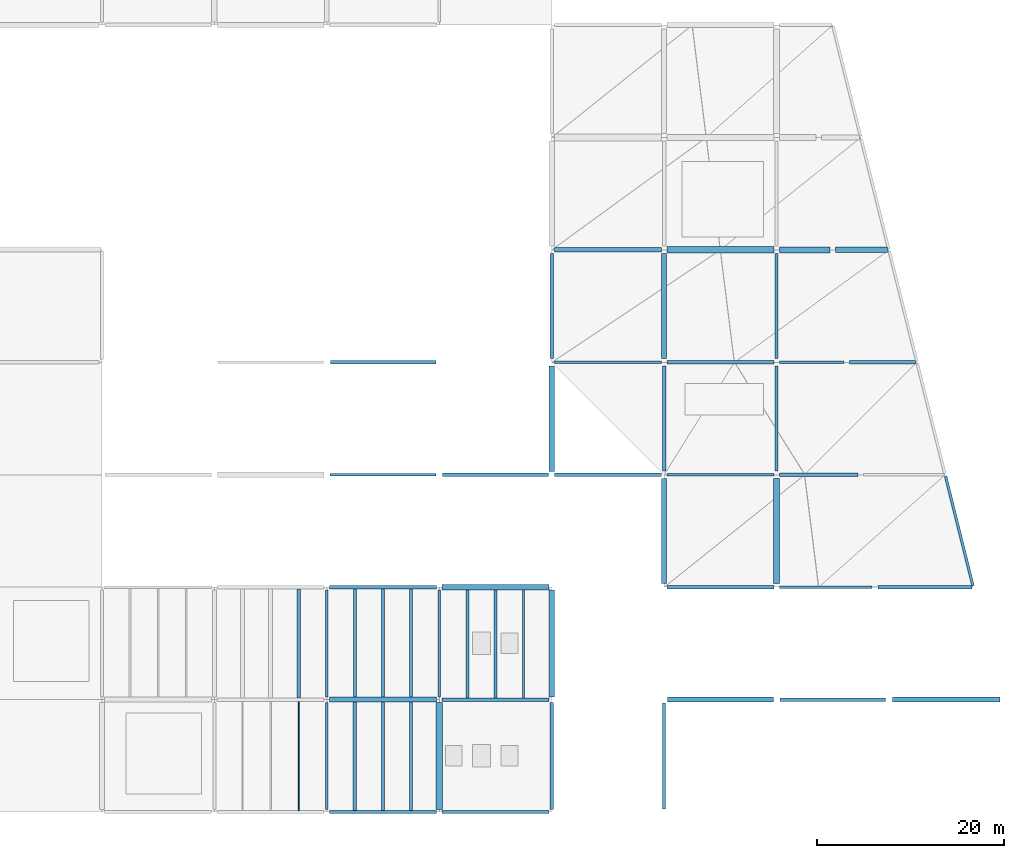
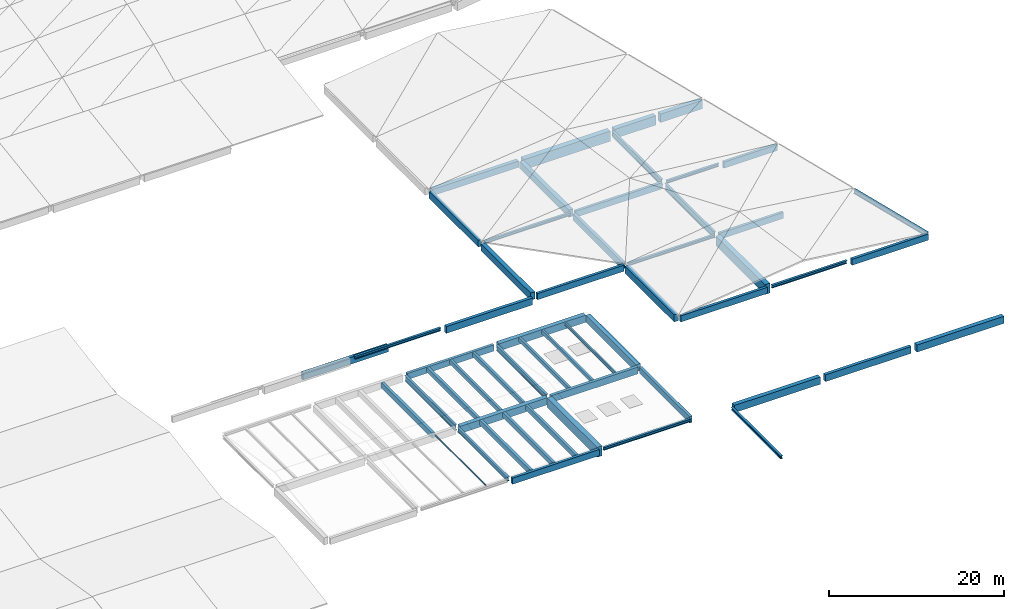
# One storey, part 12 of 23: 53 beams.
"""IFC4 building model written with IfcOpenShell, lengths in metres."""

import ifcopenshell
import ifcopenshell.guid

model = None  # the IFC model being written
_history = None  # IfcOwnerHistory: only IFC2X3 demands one
_inside = {}  # id of a spatial element -> (the spatial element, [elements in it])
_under = {}  # id of a project, library or spatial element -> (it, [spatial elements below it])
_declared = {}  # id of a project -> (the project, [libraries it declares])
_typed = {}  # id of a type object -> (the type object, [elements of that type])
_made_of = {}  # id of a material, layer set ... -> (it, [elements and type objects made of it])


def new_model(schema):
    """Start an empty IFC model of exactly this schema.

    Asked for "IFC4X3", IfcOpenShell would pick the latest addendum, in which some entities
    have other attributes; the version numbers below select the first issue.
    IFC2X3 requires an IfcOwnerHistory on every rooted entity: one is made here for all.
    """
    global model, _history
    if schema == "IFC4X3":
        model = ifcopenshell.file(schema_version=(4, 3, 0, 0))
    else:
        model = ifcopenshell.file(schema=schema)
    _inside.clear()
    _under.clear()
    _declared.clear()
    _typed.clear()
    _made_of.clear()
    _history = None
    if model.schema == "IFC2X3":
        org = make("IfcOrganization", Name="unknown")
        user = make(
            "IfcPersonAndOrganization",
            ThePerson=make("IfcPerson", FamilyName="unknown"),
            TheOrganization=org,
        )
        app = make(
            "IfcApplication",
            ApplicationDeveloper=org,
            Version="unknown",
            ApplicationFullName="unknown",
            ApplicationIdentifier="unknown",
        )
        _history = make(
            "IfcOwnerHistory",
            OwningUser=user,
            OwningApplication=app,
            ChangeAction="ADDED",
            CreationDate=0,
        )
    return model


def make(cls, **values):
    """One entity of the class cls with the attributes given. An attribute that is None is left unset."""
    return model.create_entity(
        cls, **{name: value for name, value in values.items() if value is not None}
    )


def rooted(cls, **values):
    """An entity with a GlobalId (a new one), such as an element, a storey or a relation."""
    return make(cls, GlobalId=ifcopenshell.guid.new(), OwnerHistory=_history, **values)


def si_unit(unit_type, name, prefix=None):
    """IfcSIUnit, for example si_unit("LENGTHUNIT", "METRE", prefix="MILLI")."""
    return make("IfcSIUnit", UnitType=unit_type, Prefix=prefix, Name=name)


def assignment(units):
    """IfcUnitAssignment: the units of a project."""
    return None if units is None else make("IfcUnitAssignment", Units=units)


def point(xyz):
    """IfcCartesianPoint."""
    return None if xyz is None else make("IfcCartesianPoint", Coordinates=xyz)


def direction(xyz):
    """IfcDirection."""
    return None if xyz is None else make("IfcDirection", DirectionRatios=xyz)


def frame(location, z_axis=None, x_axis=None):
    """IfcAxis2Placement3D, a coordinate frame: its origin and axes. An axis left out is left unset."""
    return make(
        "IfcAxis2Placement3D",
        Location=point(location),
        Axis=direction(z_axis),
        RefDirection=direction(x_axis),
    )


def frame_2d(location, x_axis=None):
    """IfcAxis2Placement2D, a coordinate frame in the plane: its origin and x axis."""
    return make(
        "IfcAxis2Placement2D", Location=point(location), RefDirection=direction(x_axis)
    )


def origin():
    """The frame at (0, 0, 0) with its axes left unset."""
    return frame((0.0, 0.0, 0.0))


def origin_2d():
    """The frame at (0, 0) in the plane with its x axis left unset."""
    return frame_2d((0.0, 0.0))


def place(relative_to, where):
    """IfcLocalPlacement: puts the frame where relative to a parent placement (None: the world)."""
    return make(
        "IfcLocalPlacement", PlacementRelTo=relative_to, RelativePlacement=where
    )


def context(
    kind, dimensions, precision=None, world=None, true_north=None, identifier=None
):
    """IfcGeometricRepresentationContext, for example the 3D "Model" context."""
    return make(
        "IfcGeometricRepresentationContext",
        ContextIdentifier=identifier,
        ContextType=kind,
        CoordinateSpaceDimension=dimensions,
        Precision=precision,
        WorldCoordinateSystem=world,
        TrueNorth=true_north,
    )


def subcontext(parent, identifier, kind, view, scale=None):
    """IfcGeometricRepresentationSubContext, for example "Body" below "Model"."""
    return make(
        "IfcGeometricRepresentationSubContext",
        ContextIdentifier=identifier,
        ContextType=kind,
        ParentContext=parent,
        TargetScale=scale,
        TargetView=view,
    )


def project(units=None, contexts=None):
    """IfcProject with its units and contexts."""
    return rooted(
        "IfcProject",
        Name="project",
        RepresentationContexts=contexts,
        UnitsInContext=assignment(units),
    )


def spatial(cls, under=None, at=None, **own):
    """A site, building, storey or space (cls), placed at a placement, below another one or the project."""
    s = rooted(cls, ObjectPlacement=at, **own)
    if under is not None:
        _under.setdefault(under.id(), (under, []))[1].append(s)
    return s


def profile(cls, at=None, kind="AREA", **sizes):
    """A parametric profile (cls). Its sizes go by their IFC names, for example OverallWidth=200.0."""
    return make(cls, ProfileType=kind, Position=at, **sizes)


def rectangle(**sizes):
    """IfcRectangleProfileDef."""
    return profile("IfcRectangleProfileDef", **sizes)


def i_section(**sizes):
    """IfcIShapeProfileDef."""
    return profile("IfcIShapeProfileDef", **sizes)


def extrude(swept, where, along, depth):
    """IfcExtrudedAreaSolid: the profile swept, set in the frame where, extruded along a direction by depth."""
    return make(
        "IfcExtrudedAreaSolid",
        SweptArea=swept,
        Position=where,
        ExtrudedDirection=direction(along),
        Depth=depth,
    )


def shape(context_of_items, identifier, shape_type, items):
    """IfcShapeRepresentation: the items that make up one representation, for example the "Body"."""
    return make(
        "IfcShapeRepresentation",
        ContextOfItems=context_of_items,
        RepresentationIdentifier=identifier,
        RepresentationType=shape_type,
        Items=items,
    )


def material(Name=None, Category=None):
    """IfcMaterial."""
    return make("IfcMaterial", Name=Name, Category=Category)


def material_profile(
    of_material, cross_section, Name=None, Category=None, Priority=None
):
    """IfcMaterialProfile: a cross section and its material."""
    return make(
        "IfcMaterialProfile",
        Name=Name,
        Material=of_material,
        Profile=cross_section,
        Priority=Priority,
        Category=Category,
    )


def profile_set(profiles, Name=None, composite=None):
    """IfcMaterialProfileSet."""
    return make(
        "IfcMaterialProfileSet",
        Name=Name,
        MaterialProfiles=profiles,
        CompositeProfile=composite,
    )


def made_of(thing, what):
    """Note that an element or type object is made of a material, layer set ...; save() writes the relation."""
    if what is not None:
        _made_of.setdefault(what.id(), (what, []))[1].append(thing)
    return thing


def type_object(cls, material=None, **own):
    """A type object (cls), such as IfcWallType, which elements share."""
    return made_of(rooted(cls, **own), material)


def element(
    cls,
    number,
    at=None,
    inside=None,
    cuts=None,
    type_object=None,
    material=None,
    context=None,
    identifier="Body",
    shape_type=None,
    held_by="IfcProductDefinitionShape",
    body=None,
    shapes=None,
    **own,
):
    """One element of the class cls, such as IfcWall. Its Tag is "e" and its number.

    at: its placement. inside: the storey or other place that contains it. cuts: it is an
    opening in that element (IfcRelVoidsElement). A single representation is given by context,
    identifier, shape_type and body (its items); several are given by shapes. held_by: the class
    of the entity that holds the representations. save() writes the other relations.
    """
    e = rooted(cls, Tag="e%d" % number, ObjectPlacement=at, **own)
    if body is not None:
        shapes = [shape(context, identifier, shape_type, body)]
    if shapes is not None:
        e.Representation = make(held_by, Representations=shapes)
    if inside is not None:
        _inside.setdefault(inside.id(), (inside, []))[1].append(e)
    if cuts is not None:
        rooted(
            "IfcRelVoidsElement", RelatingBuildingElement=cuts, RelatedOpeningElement=e
        )
    if type_object is not None:
        _typed.setdefault(type_object.id(), (type_object, []))[1].append(e)
    return made_of(e, material)


def aggregate(whole, parts):
    """IfcRelAggregates: a whole, such as a stair, and the parts it consists of."""
    return rooted("IfcRelAggregates", RelatingObject=whole, RelatedObjects=parts)


def save(model, path):
    """Write the relations noted so far, then the file.

    IfcRelAggregates (storeys below a building ...), IfcRelContainedInSpatialStructure (elements
    in a storey), IfcRelDefinesByType, IfcRelAssociatesMaterial and IfcRelDeclares: one each for
    every whole, place, type object, material and project.
    """
    for whole, parts in _under.values():
        aggregate(whole, parts)
    for where, things in _inside.values():
        rooted(
            "IfcRelContainedInSpatialStructure",
            RelatedElements=things,
            RelatingStructure=where,
        )
    for kind, things in _typed.values():
        rooted("IfcRelDefinesByType", RelatedObjects=things, RelatingType=kind)
    for what, things in _made_of.values():
        rooted("IfcRelAssociatesMaterial", RelatedObjects=things, RelatingMaterial=what)
    for by, libraries in _declared.values():
        rooted("IfcRelDeclares", RelatingContext=by, RelatedDefinitions=libraries)
    model.write(path)


model = new_model("IFC4")

# Units and contexts
model_context = context("Model", 3, precision=1e-05, world=origin(), true_north=direction((0.0, 1.0)))
body_context = subcontext(model_context, "Body", "Model", "MODEL_VIEW")
ifc_project = project(units=[si_unit("LENGTHUNIT", "METRE"), si_unit("AREAUNIT", "SQUARE_METRE"), si_unit("VOLUMEUNIT", "CUBIC_METRE"), si_unit("PLANEANGLEUNIT", "RADIAN"), si_unit("MASSUNIT", "GRAM", prefix="KILO")], contexts=[model_context])

# Site, building, storey
site_placement = place(None, origin())
site = spatial("IfcSite", under=ifc_project, at=site_placement, CompositionType="ELEMENT")
building_placement = place(site_placement, origin())
building = spatial("IfcBuilding", under=site, at=building_placement, Name="Kamomehara Wholesale Market", CompositionType="ELEMENT")
storey_placement = place(building_placement, frame((0.0, 0.0, 21.0)))
storey = spatial("IfcBuildingStorey", under=building, at=storey_placement, Name="RF", CompositionType="ELEMENT", Elevation=21.0)

# Beams
ifc_material_1 = material(Name="Precast concrete Fc45 (C40/50)", Category="concrete")
ifc_material_profile_1 = material_profile(ifc_material_1, rectangle(XDim=0.580078125, YDim=1.179931640625, at=origin_2d()), Name="PC-GRD-580x1180")
ifc_profile_set_1 = profile_set([ifc_material_profile_1], Name="Precast concrete Fc45 (C40/50)")
beam_type_1 = type_object("IfcBeamType", Name="BM-PG1180", PredefinedType="T_BEAM", material=ifc_profile_set_1)
beam_1_placement = place(storey_placement, frame((186.300048828125, 72.0, -5.389892578125), z_axis=(1.0, 0.0, 0.0), x_axis=(0.0, 1.0, 0.0)))
element("IfcBeam", 1, at=beam_1_placement, inside=storey, type_object=beam_type_1, Name="Beam PG-14 RF", PredefinedType="T_BEAM", context=body_context, shape_type="SweptSolid", body=[
    extrude(rectangle(XDim=0.580078125, YDim=1.179931640625, at=origin_2d()), origin(), (0.0, 0.0, 1.0), 5.550048828125),
])
ifc_material_2 = material(Name="Precast concrete Fc45 (C40/50)", Category="concrete")
ifc_material_profile_2 = material_profile(ifc_material_2, rectangle(XDim=0.6201171875, YDim=1.280029296875, at=origin_2d()), Name="PC-GRD-620x1280")
ifc_profile_set_2 = profile_set([ifc_material_profile_2], Name="Precast concrete Fc45 (C40/50)")
beam_type_2 = type_object("IfcBeamType", Name="BM-PG1280", PredefinedType="T_BEAM", material=ifc_profile_set_2)
beam_2_placement = place(storey_placement, frame((180.300048828125, 72.0, -5.43994140625), z_axis=(1.0, 0.0, 0.0), x_axis=(0.0, 1.0, 0.0)))
element("IfcBeam", 2, at=beam_2_placement, inside=storey, type_object=beam_type_2, Name="Beam PG-13 RF", PredefinedType="T_BEAM", context=body_context, shape_type="SweptSolid", body=[
    extrude(rectangle(XDim=0.6201171875, YDim=1.280029296875, at=origin_2d()), origin(), (0.0, 0.0, 1.0), 5.39990234375),
])
ifc_material_3 = material(Name="Precast concrete Fc45 (C40/50)", Category="concrete")
ifc_material_profile_3 = material_profile(ifc_material_3, rectangle(XDim=0.64990234375, YDim=1.35009765625, at=origin_2d()), Name="PC-GRD-650x1350")
ifc_profile_set_3 = profile_set([ifc_material_profile_3], Name="Precast concrete Fc45 (C40/50)")
beam_type_3 = type_object("IfcBeamType", Name="BM-PG1350", PredefinedType="T_BEAM", material=ifc_profile_set_3)
beam_3_placement = place(storey_placement, frame((180.0, 36.39990234375, -5.47509765625), z_axis=(0.0, 1.0, 0.0), x_axis=(-1.0, 0.0, 0.0)))
element("IfcBeam", 3, at=beam_3_placement, inside=storey, type_object=beam_type_3, Name="Beam PG-03 RF", PredefinedType="T_BEAM", context=body_context, shape_type="SweptSolid", body=[
    extrude(rectangle(XDim=0.64990234375, YDim=1.35009765625, at=origin_2d()), origin(), (0.0, 0.0, 1.0), 11.2001953125),
])
beam_4_placement = place(storey_placement, frame((144.0, 12.2900390625, -0.89697265625), z_axis=(0.0, 1.0, 0.0), x_axis=(-1.0, 0.0, 0.0)))
element("IfcBeam", 4, at=beam_4_placement, inside=storey, type_object=beam_type_3, Name="Beam PG-03 RF", PredefinedType="T_BEAM", context=body_context, shape_type="SweptSolid", body=[
    extrude(rectangle(XDim=0.64990234375, YDim=1.35009765625, at=origin_2d()), origin(), (0.0, 0.0, 1.0), 11.419921875),
])
ifc_material_4 = material(Name="Precast concrete Fc45 (C40/50)", Category="concrete")
ifc_material_profile_4 = material_profile(ifc_material_4, rectangle(XDim=0.699951171875, YDim=1.39990234375, at=origin_2d()), Name="PC-GRD-700x1400")
ifc_profile_set_4 = profile_set([ifc_material_profile_4], Name="Precast concrete Fc45 (C40/50)")
beam_type_4 = type_object("IfcBeamType", Name="BM-PG1400", PredefinedType="T_BEAM", material=ifc_profile_set_4)
beam_5_placement = place(storey_placement, frame((168.300048828125, 72.0, -5.5), z_axis=(1.0, 0.0, 0.0), x_axis=(0.0, 1.0, 0.0)))
element("IfcBeam", 5, at=beam_5_placement, inside=storey, type_object=beam_type_4, Name="Beam PG-02 RF", PredefinedType="T_BEAM", context=body_context, shape_type="SweptSolid", body=[
    extrude(rectangle(XDim=0.699951171875, YDim=1.39990234375, at=origin_2d()), origin(), (0.0, 0.0, 1.0), 11.39990234375),
])
ifc_material_5 = material(Name="Precast concrete Fc45 (C40/50)", Category="concrete")
ifc_material_profile_5 = material_profile(ifc_material_5, rectangle(XDim=0.5, YDim=0.89990234375, at=origin_2d()), Name="PC-GRD-500x900")
ifc_profile_set_5 = profile_set([ifc_material_profile_5], Name="Precast concrete Fc45 (C40/50)")
beam_type_5 = type_object("IfcBeamType", Name="BM-PG900", PredefinedType="T_BEAM", material=ifc_profile_set_5)
beam_6_placement = place(storey_placement, frame((156.300048828125, 72.0, -5.25), z_axis=(1.0, 0.0, 0.0), x_axis=(0.0, 1.0, 0.0)))
element("IfcBeam", 6, at=beam_6_placement, inside=storey, type_object=beam_type_5, Name="Beam PG-10 RF", PredefinedType="T_BEAM", context=body_context, shape_type="SweptSolid", body=[
    extrude(rectangle(XDim=0.5, YDim=0.89990234375, at=origin_2d()), origin(), (0.0, 0.0, 1.0), 11.39990234375),
])
ifc_material_6 = material(Name="Precast concrete Fc45 (C40/50)", Category="concrete")
ifc_material_profile_6 = material_profile(ifc_material_6, rectangle(XDim=0.280029296875, YDim=0.5, at=origin_2d()), Name="PC-JST-280x500")
ifc_profile_set_6 = profile_set([ifc_material_profile_6], Name="Precast concrete Fc45 (C40/50)")
beam_type_6 = type_object("IfcBeamType", Name="BM-PJ500", PredefinedType="JOIST", material=ifc_profile_set_6)
beam_7_placement = place(storey_placement, frame((150.0, 24.199951171875, -0.4619140625), z_axis=(0.0, 1.0, 0.0), x_axis=(-1.0, 0.0, 0.0)))
element("IfcBeam", 7, at=beam_7_placement, inside=storey, type_object=beam_type_6, Name="Beam PJ-11 RF", PredefinedType="JOIST", context=body_context, shape_type="SweptSolid", body=[
    extrude(rectangle(XDim=0.280029296875, YDim=0.5, at=origin_2d()), origin(), (0.0, 0.0, 1.0), 11.525146484375),
])
ifc_material_7 = material(Name="Precast concrete Fc45 (C40/50)", Category="concrete")
ifc_material_profile_7 = material_profile(ifc_material_7, rectangle(XDim=0.300048828125, YDim=0.550048828125, at=origin_2d()), Name="PC-JST-300x550")
ifc_profile_set_7 = profile_set([ifc_material_profile_7], Name="Precast concrete Fc45 (C40/50)")
beam_type_7 = type_object("IfcBeamType", Name="BM-PJ550", PredefinedType="JOIST", material=ifc_profile_set_7)
beam_8_placement = place(storey_placement, frame((147.0, 24.199951171875, -0.487060546875), z_axis=(0.0, 1.0, 0.0), x_axis=(-1.0, 0.0, 0.0)))
element("IfcBeam", 8, at=beam_8_placement, inside=storey, type_object=beam_type_7, Name="Beam PJ-06 RF", PredefinedType="JOIST", context=body_context, shape_type="SweptSolid", body=[
    extrude(rectangle(XDim=0.300048828125, YDim=0.550048828125, at=origin_2d()), origin(), (0.0, 0.0, 1.0), 11.525146484375),
])
ifc_material_8 = material(Name="Precast concrete Fc45 (C40/50)", Category="concrete")
ifc_material_profile_8 = material_profile(ifc_material_8, rectangle(XDim=0.320068359375, YDim=0.60009765625, at=origin_2d()), Name="PC-JST-320x600")
ifc_profile_set_8 = profile_set([ifc_material_profile_8], Name="Precast concrete Fc45 (C40/50)")
beam_type_8 = type_object("IfcBeamType", Name="BM-PJ600", PredefinedType="JOIST", material=ifc_profile_set_8)
beam_9_placement = place(storey_placement, frame((141.0, 24.27490234375, -0.52197265625), z_axis=(0.0, 1.0, 0.0), x_axis=(-1.0, 0.0, 0.0)))
element("IfcBeam", 9, at=beam_9_placement, inside=storey, type_object=beam_type_8, Name="Beam PJ-05 RF", PredefinedType="JOIST", context=body_context, shape_type="SweptSolid", body=[
    extrude(rectangle(XDim=0.320068359375, YDim=0.60009765625, at=origin_2d()), origin(), (0.0, 0.0, 1.0), 11.550048828125),
])
ifc_material_9 = material(Name="Precast concrete Fc45 (C40/50)", Category="concrete")
ifc_material_profile_9 = material_profile(ifc_material_9, rectangle(XDim=0.300048828125, YDim=0.60009765625, at=origin_2d()), Name="PC-JST-300x600")
ifc_profile_set_9 = profile_set([ifc_material_profile_9], Name="Precast concrete Fc45 (C40/50)")
beam_type_9 = type_object("IfcBeamType", Name="BM-PJ600B", PredefinedType="JOIST", material=ifc_profile_set_9)
beam_10_placement = place(storey_placement, frame((138.0, 24.27490234375, -0.52197265625), z_axis=(0.0, 1.0, 0.0), x_axis=(-1.0, 0.0, 0.0)))
element("IfcBeam", 10, at=beam_10_placement, inside=storey, type_object=beam_type_9, Name="Beam PJ-10 RF", PredefinedType="JOIST", context=body_context, shape_type="SweptSolid", body=[
    extrude(rectangle(XDim=0.300048828125, YDim=0.60009765625, at=origin_2d()), origin(), (0.0, 0.0, 1.0), 11.550048828125),
])
ifc_material_10 = material(Name="Precast concrete Fc45 (C40/50)", Category="concrete")
ifc_material_profile_10 = material_profile(ifc_material_10, rectangle(XDim=0.35009765625, YDim=0.64990234375, at=origin_2d()), Name="PC-JST-350x650")
ifc_profile_set_10 = profile_set([ifc_material_profile_10], Name="Precast concrete Fc45 (C40/50)")
beam_type_10 = type_object("IfcBeamType", Name="BM-PJ650", PredefinedType="JOIST", material=ifc_profile_set_10)
beam_11_placement = place(storey_placement, frame((135.0, 24.27490234375, -0.547119140625), z_axis=(0.0, 1.0, 0.0), x_axis=(-1.0, 0.0, 0.0)))
element("IfcBeam", 11, at=beam_11_placement, inside=storey, type_object=beam_type_10, Name="Beam PJ-04 RF", PredefinedType="JOIST", context=body_context, shape_type="SweptSolid", body=[
    extrude(rectangle(XDim=0.35009765625, YDim=0.64990234375, at=origin_2d()), origin(), (0.0, 0.0, 1.0), 11.550048828125),
])
ifc_material_11 = material(Name="Precast concrete Fc45 (C40/50)", Category="concrete")
ifc_material_profile_11 = material_profile(ifc_material_11, rectangle(XDim=0.340087890625, YDim=0.679931640625, at=origin_2d()), Name="PC-JST-340x680")
ifc_profile_set_11 = profile_set([ifc_material_profile_11], Name="Precast concrete Fc45 (C40/50)")
beam_type_11 = type_object("IfcBeamType", Name="BM-PJ680", PredefinedType="JOIST", material=ifc_profile_set_11)
beam_12_placement = place(storey_placement, frame((141.0, 12.175048828125, -0.56201171875), z_axis=(0.0, 1.0, 0.0), x_axis=(-1.0, 0.0, 0.0)))
element("IfcBeam", 12, at=beam_12_placement, inside=storey, type_object=beam_type_11, Name="Beam PJ-09 RF", PredefinedType="JOIST", context=body_context, shape_type="SweptSolid", body=[
    extrude(rectangle(XDim=0.340087890625, YDim=0.679931640625, at=origin_2d()), origin(), (0.0, 0.0, 1.0), 11.550048828125),
])
ifc_material_12 = material(Name="Precast concrete Fc45 (C40/50)", Category="concrete")
ifc_material_profile_12 = material_profile(ifc_material_12, rectangle(XDim=0.35009765625, YDim=0.699951171875, at=origin_2d()), Name="PC-JST-350x700")
ifc_profile_set_12 = profile_set([ifc_material_profile_12], Name="Precast concrete Fc45 (C40/50)")
beam_type_12 = type_object("IfcBeamType", Name="BM-PJ700", PredefinedType="JOIST", material=ifc_profile_set_12)
beam_13_placement = place(storey_placement, frame((138.0, 12.175048828125, -0.572021484375), z_axis=(0.0, 1.0, 0.0), x_axis=(-1.0, 0.0, 0.0)))
element("IfcBeam", 13, at=beam_13_placement, inside=storey, type_object=beam_type_12, Name="Beam PJ-03 RF", PredefinedType="JOIST", context=body_context, shape_type="SweptSolid", body=[
    extrude(rectangle(XDim=0.35009765625, YDim=0.699951171875, at=origin_2d()), origin(), (0.0, 0.0, 1.0), 11.550048828125),
])
ifc_material_13 = material(Name="Precast concrete Fc45 (C40/50)", Category="concrete")
ifc_material_profile_13 = material_profile(ifc_material_13, rectangle(XDim=0.360107421875, YDim=0.719970703125, at=origin_2d()), Name="PC-JST-360x720")
ifc_profile_set_13 = profile_set([ifc_material_profile_13], Name="Precast concrete Fc45 (C40/50)")
beam_type_13 = type_object("IfcBeamType", Name="BM-PJ720", PredefinedType="JOIST", material=ifc_profile_set_13)
beam_14_placement = place(storey_placement, frame((135.0, 12.175048828125, -0.58203125), z_axis=(0.0, 1.0, 0.0), x_axis=(-1.0, 0.0, 0.0)))
element("IfcBeam", 14, at=beam_14_placement, inside=storey, type_object=beam_type_13, Name="Beam PJ-08 RF", PredefinedType="JOIST", context=body_context, shape_type="SweptSolid", body=[
    extrude(rectangle(XDim=0.360107421875, YDim=0.719970703125, at=origin_2d()), origin(), (0.0, 0.0, 1.0), 11.550048828125),
])
ifc_material_14 = material(Name="Precast concrete Fc45 (C40/50)", Category="concrete")
ifc_material_profile_14 = material_profile(ifc_material_14, rectangle(XDim=0.3798828125, YDim=0.75, at=origin_2d()), Name="PC-JST-380x750")
ifc_profile_set_14 = profile_set([ifc_material_profile_14], Name="Precast concrete Fc45 (C40/50)")
beam_type_14 = type_object("IfcBeamType", Name="BM-PJ750", PredefinedType="JOIST", material=ifc_profile_set_14)
beam_15_placement = place(storey_placement, frame((129.0, 24.199951171875, -0.596923828125), z_axis=(0.0, 1.0, 0.0), x_axis=(-1.0, 0.0, 0.0)))
element("IfcBeam", 15, at=beam_15_placement, inside=storey, type_object=beam_type_14, Name="Beam PJ-02 RF", PredefinedType="JOIST", context=body_context, shape_type="SweptSolid", body=[
    extrude(rectangle(XDim=0.3798828125, YDim=0.75, at=origin_2d()), origin(), (0.0, 0.0, 1.0), 11.60009765625),
])
ifc_material_15 = material(Name="Concrete Fc36 (C35/45)", Category="concrete")
ifc_material_profile_15 = material_profile(ifc_material_15, rectangle(XDim=0.550048828125, YDim=1.0, at=origin_2d()), Name="RC-SEB-550x1000")
ifc_profile_set_15 = profile_set([ifc_material_profile_15], Name="Concrete Fc36 (C35/45)")
beam_type_15 = type_object("IfcBeamType", Name="BM-SEB1000-EXT", PredefinedType="SPANDREL", material=ifc_profile_set_15)
beam_16_placement = place(storey_placement, frame((168.35009765625, 24.0, -10.43701171875), z_axis=(1.0, 0.0, 0.0), x_axis=(0.0, 1.0, 0.0)))
element("IfcBeam", 16, at=beam_16_placement, inside=storey, type_object=beam_type_15, Name="Beam SEB-03E RF", PredefinedType="SPANDREL", context=body_context, shape_type="SweptSolid", body=[
    extrude(rectangle(XDim=0.550048828125, YDim=1.0, at=origin_2d()), origin(), (0.0, 0.0, 1.0), 11.2998046875),
])
beam_17_placement = place(storey_placement, frame((192.35009765625, 24.0, -10.43701171875), z_axis=(1.0, 0.0, 0.0), x_axis=(0.0, 1.0, 0.0)))
element("IfcBeam", 17, at=beam_17_placement, inside=storey, type_object=beam_type_15, Name="Beam SEB-03E RF", PredefinedType="SPANDREL", context=body_context, shape_type="SweptSolid", body=[
    extrude(rectangle(XDim=0.550048828125, YDim=1.0, at=origin_2d()), origin(), (0.0, 0.0, 1.0), 11.471923828125),
])
beam_18_placement = place(storey_placement, frame((168.0, 36.39990234375, -5.300048828125), z_axis=(0.0, 1.0, 0.0), x_axis=(-1.0, 0.0, 0.0)))
element("IfcBeam", 18, at=beam_18_placement, inside=storey, type_object=beam_type_15, Name="Beam SEB-03E RF", PredefinedType="SPANDREL", context=body_context, shape_type="SweptSolid", body=[
    extrude(rectangle(XDim=0.550048828125, YDim=1.0, at=origin_2d()), origin(), (0.0, 0.0, 1.0), 11.2001953125),
])
beam_19_placement = place(storey_placement, frame((156.0, 48.324951171875, -5.300048828125), z_axis=(0.0, 1.0, 0.0), x_axis=(-1.0, 0.0, 0.0)))
element("IfcBeam", 19, at=beam_19_placement, inside=storey, type_object=beam_type_15, Name="Beam SEB-03E RF", PredefinedType="SPANDREL", context=body_context, shape_type="SweptSolid", body=[
    extrude(rectangle(XDim=0.550048828125, YDim=1.0, at=origin_2d()), origin(), (0.0, 0.0, 1.0), 11.275146484375),
])
beam_20_placement = place(storey_placement, frame((168.0, 60.39990234375, -5.300048828125), z_axis=(0.0, 1.0, 0.0), x_axis=(-1.0, 0.0, 0.0)))
element("IfcBeam", 20, at=beam_20_placement, inside=storey, type_object=beam_type_15, Name="Beam SEB-03E RF", PredefinedType="SPANDREL", context=body_context, shape_type="SweptSolid", body=[
    extrude(rectangle(XDim=0.550048828125, YDim=1.0, at=origin_2d()), origin(), (0.0, 0.0, 1.0), 11.2001953125),
])
for number, where, z_axis, x_axis, name in (
    (21, (132.2900390625, 24.0, -0.721923828125), (1.0, 0.0, 0.0), (0.0, 1.0, 0.0), "Beam SEB-03E RF"),
    (22, (156.0, 24.2900390625, -0.7119140625), (0.0, 1.0, 0.0), (-1.0, 0.0, 0.0), "Beam SEB-03E RF"),
    (23, (144.2900390625, 36.0, -0.7119140625), (1.0, 0.0, 0.0), (0.0, 1.0, 0.0), "Beam SEB-03E RF"),
):
    element("IfcBeam", number, at=place(storey_placement, frame(where, z_axis=z_axis, x_axis=x_axis)), inside=storey, type_object=beam_type_15, Name=name, PredefinedType="SPANDREL", context=body_context, shape_type="SweptSolid", body=[
        extrude(rectangle(XDim=0.550048828125, YDim=1.0, at=origin_2d()), origin(), (0.0, 0.0, 1.0), 11.419921875),
    ])
ifc_material_16 = material(Name="Precast concrete Fc45 (C40/50)", Category="concrete")
ifc_material_profile_16 = material_profile(ifc_material_16, rectangle(XDim=0.35009765625, YDim=0.85009765625, at=origin_2d()), Name="PC-SPN-350x850")
ifc_profile_set_16 = profile_set([ifc_material_profile_16], Name="Precast concrete Fc45 (C40/50)")
beam_type_16 = type_object("IfcBeamType", Name="BM-SPN850-EXT", PredefinedType="SPANDREL", material=ifc_profile_set_16)
beam_21_placement = place(storey_placement, frame((168.300048828125, 36.0, -5.22509765625), z_axis=(1.0, 0.0, 0.0), x_axis=(0.0, 1.0, 0.0)))
element("IfcBeam", 24, at=beam_21_placement, inside=storey, type_object=beam_type_16, Name="Beam SPN-02E RF", PredefinedType="SPANDREL", context=body_context, shape_type="SweptSolid", body=[
    extrude(rectangle(XDim=0.35009765625, YDim=0.85009765625, at=origin_2d()), origin(), (0.0, 0.0, 1.0), 11.39990234375),
])
beam_22_placement = place(storey_placement, frame((190.800048828125, 36.0, -5.22509765625), z_axis=(1.0, 0.0, 0.0), x_axis=(0.0, 1.0, 0.0)))
element("IfcBeam", 25, at=beam_22_placement, inside=storey, type_object=beam_type_16, Name="Beam SPN-02E RF", PredefinedType="SPANDREL", context=body_context, shape_type="SweptSolid", body=[
    extrude(rectangle(XDim=0.35009765625, YDim=0.85009765625, at=origin_2d()), origin(), (0.0, 0.0, 1.0), 10.050048828125),
])
beam_23_placement = place(storey_placement, frame((156.324951171875, 48.0, -5.22509765625), z_axis=(1.0, 0.0, 0.0), x_axis=(0.0, 1.0, 0.0)))
element("IfcBeam", 26, at=beam_23_placement, inside=storey, type_object=beam_type_16, Name="Beam SPN-02E RF", PredefinedType="SPANDREL", context=body_context, shape_type="SweptSolid", body=[
    extrude(rectangle(XDim=0.35009765625, YDim=0.85009765625, at=origin_2d()), origin(), (0.0, 0.0, 1.0), 11.375),
])
beam_24_placement = place(storey_placement, frame((180.300048828125, 48.0, -5.22509765625), z_axis=(1.0, 0.0, 0.0), x_axis=(0.0, 1.0, 0.0)))
element("IfcBeam", 27, at=beam_24_placement, inside=storey, type_object=beam_type_16, Name="Beam SPN-02E RF", PredefinedType="SPANDREL", context=body_context, shape_type="SweptSolid", body=[
    extrude(rectangle(XDim=0.35009765625, YDim=0.85009765625, at=origin_2d()), origin(), (0.0, 0.0, 1.0), 8.39990234375),
])
beam_25_placement = place(storey_placement, frame((168.300048828125, 60.0, -5.22509765625), z_axis=(1.0, 0.0, 0.0), x_axis=(0.0, 1.0, 0.0)))
element("IfcBeam", 28, at=beam_25_placement, inside=storey, type_object=beam_type_16, Name="Beam SPN-02E RF", PredefinedType="SPANDREL", context=body_context, shape_type="SweptSolid", body=[
    extrude(rectangle(XDim=0.35009765625, YDim=0.85009765625, at=origin_2d()), origin(), (0.0, 0.0, 1.0), 11.39990234375),
])
beam_26_placement = place(storey_placement, frame((187.800048828125, 60.0, -5.22509765625), z_axis=(1.0, 0.0, 0.0), x_axis=(0.0, 1.0, 0.0)))
element("IfcBeam", 29, at=beam_26_placement, inside=storey, type_object=beam_type_16, Name="Beam SPN-02E RF", PredefinedType="SPANDREL", context=body_context, shape_type="SweptSolid", body=[
    extrude(rectangle(XDim=0.35009765625, YDim=0.85009765625, at=origin_2d()), origin(), (0.0, 0.0, 1.0), 7.050048828125),
])
for number, where, z_axis, x_axis, name in (
    (30, (132.2900390625, 12.0, -0.64697265625), (1.0, 0.0, 0.0), (0.0, 1.0, 0.0), "Beam SPN-02E RF"),
    (31, (156.0, 12.2900390625, -0.636962890625), (0.0, 1.0, 0.0), (-1.0, 0.0, 0.0), "Beam SPN-02E RF"),
    (32, (132.2900390625, 36.0, -0.64697265625), (1.0, 0.0, 0.0), (0.0, 1.0, 0.0), "Beam SPN-02E RF"),
):
    element("IfcBeam", number, at=place(storey_placement, frame(where, z_axis=z_axis, x_axis=x_axis)), inside=storey, type_object=beam_type_16, Name=name, PredefinedType="SPANDREL", context=body_context, shape_type="SweptSolid", body=[
        extrude(rectangle(XDim=0.35009765625, YDim=0.85009765625, at=origin_2d()), origin(), (0.0, 0.0, 1.0), 11.419921875),
    ])
ifc_material_17 = material(Name="Precast concrete Fc45 (C40/50)", Category="concrete")
ifc_material_profile_17 = material_profile(ifc_material_17, rectangle(XDim=0.39990234375, YDim=0.949951171875, at=origin_2d()), Name="PC-SPN-400x950")
ifc_profile_set_17 = profile_set([ifc_material_profile_17], Name="Precast concrete Fc45 (C40/50)")
beam_type_17 = type_object("IfcBeamType", Name="BM-SPN950-EXT", PredefinedType="SPANDREL", material=ifc_profile_set_17)
beam_27_placement = place(storey_placement, frame((132.375, 60.0, -15.221923828125), z_axis=(1.0, 0.0, 0.0), x_axis=(0.0, 1.0, 0.0)))
element("IfcBeam", 33, at=beam_27_placement, inside=storey, type_object=beam_type_17, Name="Beam SPN-01E RF", PredefinedType="SPANDREL", context=body_context, shape_type="SweptSolid", body=[
    extrude(rectangle(XDim=0.39990234375, YDim=0.949951171875, at=origin_2d()), origin(), (0.0, 0.0, 1.0), 11.25),
])
beam_28_placement = place(storey_placement, frame((180.35009765625, 24.0, -10.412109375), z_axis=(1.0, 0.0, 0.0), x_axis=(0.0, 1.0, 0.0)))
element("IfcBeam", 34, at=beam_28_placement, inside=storey, type_object=beam_type_17, Name="Beam SPN-01E RF", PredefinedType="SPANDREL", context=body_context, shape_type="SweptSolid", body=[
    extrude(rectangle(XDim=0.39990234375, YDim=0.949951171875, at=origin_2d()), origin(), (0.0, 0.0, 1.0), 11.2998046875),
])
beam_29_placement = place(storey_placement, frame((144.324951171875, 48.0, -5.6220703125), z_axis=(1.0, 0.0, 0.0), x_axis=(0.0, 1.0, 0.0)))
element("IfcBeam", 35, at=beam_29_placement, inside=storey, type_object=beam_type_17, Name="Beam SPN-01E RF", PredefinedType="SPANDREL", context=body_context, shape_type="SweptSolid", body=[
    extrude(rectangle(XDim=0.39990234375, YDim=0.949951171875, at=origin_2d()), origin(), (0.0, 0.0, 1.0), 11.35009765625),
])
for number, where, z_axis, x_axis, name in (
    (36, (168.0, 48.39990234375, -5.27490234375), (0.0, 1.0, 0.0), (-1.0, 0.0, 0.0), "Beam SPN-01E RF"),
    (37, (156.0, 60.39990234375, -5.27490234375), (0.0, 1.0, 0.0), (-1.0, 0.0, 0.0), "Beam SPN-01E RF"),
):
    element("IfcBeam", number, at=place(storey_placement, frame(where, z_axis=z_axis, x_axis=x_axis)), inside=storey, type_object=beam_type_17, Name=name, PredefinedType="SPANDREL", context=body_context, shape_type="SweptSolid", body=[
        extrude(rectangle(XDim=0.39990234375, YDim=0.949951171875, at=origin_2d()), origin(), (0.0, 0.0, 1.0), 11.2001953125),
    ])
beam_30_placement = place(storey_placement, frame((144.2900390625, 24.0, -0.68701171875), z_axis=(1.0, 0.0, 0.0), x_axis=(0.0, 1.0, 0.0)))
element("IfcBeam", 38, at=beam_30_placement, inside=storey, type_object=beam_type_17, Name="Beam SPN-01E RF", PredefinedType="SPANDREL", context=body_context, shape_type="SweptSolid", body=[
    extrude(rectangle(XDim=0.39990234375, YDim=0.949951171875, at=origin_2d()), origin(), (0.0, 0.0, 1.0), 11.419921875),
])
ifc_material_18 = material(Name="Steel SN400B", Category="steel")
ifc_material_profile_18 = material_profile(ifc_material_18, i_section(OverallWidth=0.10009765625, OverallDepth=0.199951171875, WebThickness=0.005615234375, FlangeThickness=0.008056640625, FilletRadius=0.008056640625, at=origin_2d()), Name="H-200x100x5.5x8")
ifc_profile_set_18 = profile_set([ifc_material_profile_18], Name="Steel SN400B")
beam_type_18 = type_object("IfcBeamType", Name="BM-ST-H200", PredefinedType="LINTEL", material=ifc_profile_set_18)
beam_31_placement = place(storey_placement, frame((129.0, 12.14990234375, -0.322021484375), z_axis=(0.0, 1.0, 0.0), x_axis=(-1.0, 0.0, 0.0)))
element("IfcBeam", 39, at=beam_31_placement, inside=storey, type_object=beam_type_18, Name="Beam SJ-07 RF", PredefinedType="LINTEL", context=body_context, shape_type="SweptSolid", body=[
    extrude(i_section(OverallWidth=0.10009765625, OverallDepth=0.199951171875, WebThickness=0.005615234375, FlangeThickness=0.008056640625, FilletRadius=0.008056640625, at=origin_2d()), origin(), (0.0, 0.0, 1.0), 11.650146484375),
])
ifc_material_19 = material(Name="Steel SN490B", Category="steel")
ifc_material_profile_19 = material_profile(ifc_material_19, i_section(OverallWidth=0.300048828125, OverallDepth=0.389892578125, WebThickness=0.010009765625, FlangeThickness=0.01611328125, FilletRadius=0.01806640625, at=origin_2d()), Name="H-390x300x10x16")
ifc_profile_set_19 = profile_set([ifc_material_profile_19], Name="Steel SN490B")
beam_type_19 = type_object("IfcBeamType", Name="BM-ST-H390-EXT", PredefinedType="SPANDREL", material=ifc_profile_set_19)
beam_32_placement = place(storey_placement, frame((168.0, 12.35009765625, -10.14208984375), z_axis=(0.0, 1.0, 0.0), x_axis=(-1.0, 0.0, 0.0)))
element("IfcBeam", 40, at=beam_32_placement, inside=storey, type_object=beam_type_19, Name="Beam SJ-03E RF", PredefinedType="SPANDREL", context=body_context, shape_type="SweptSolid", body=[
    extrude(i_section(OverallWidth=0.300048828125, OverallDepth=0.389892578125, WebThickness=0.010009765625, FlangeThickness=0.01611328125, FilletRadius=0.01806640625, at=origin_2d()), origin(), (0.0, 0.0, 1.0), 11.2998046875),
])
beam_33_placement = place(storey_placement, frame((180.300048828125, 36.0, -4.9951171875), z_axis=(1.0, 0.0, 0.0), x_axis=(0.0, 1.0, 0.0)))
element("IfcBeam", 41, at=beam_33_placement, inside=storey, type_object=beam_type_19, Name="Beam SJ-03E RF", PredefinedType="SPANDREL", context=body_context, shape_type="SweptSolid", body=[
    extrude(i_section(OverallWidth=0.300048828125, OverallDepth=0.389892578125, WebThickness=0.010009765625, FlangeThickness=0.01611328125, FilletRadius=0.01806640625, at=origin_2d()), origin(), (0.0, 0.0, 1.0), 9.89990234375),
])
beam_34_placement = place(storey_placement, frame((132.324951171875, 48.0, -5.342041015625), z_axis=(1.0, 0.0, 0.0), x_axis=(0.0, 1.0, 0.0)))
element("IfcBeam", 42, at=beam_34_placement, inside=storey, type_object=beam_type_19, Name="Beam SJ-03E RF", PredefinedType="SPANDREL", context=body_context, shape_type="SweptSolid", body=[
    extrude(i_section(OverallWidth=0.300048828125, OverallDepth=0.389892578125, WebThickness=0.010009765625, FlangeThickness=0.01611328125, FilletRadius=0.01806640625, at=origin_2d()), origin(), (0.0, 0.0, 1.0), 11.35009765625),
])
for number, where, z_axis, x_axis, name in (
    (43, (168.300048828125, 48.0, -4.9951171875), (1.0, 0.0, 0.0), (0.0, 1.0, 0.0), "Beam SJ-03E RF"),
    (44, (156.300048828125, 60.0, -4.9951171875), (1.0, 0.0, 0.0), (0.0, 1.0, 0.0), "Beam SJ-03E RF"),
):
    element("IfcBeam", number, at=place(storey_placement, frame(where, z_axis=z_axis, x_axis=x_axis)), inside=storey, type_object=beam_type_19, Name=name, PredefinedType="SPANDREL", context=body_context, shape_type="SweptSolid", body=[
        extrude(i_section(OverallWidth=0.300048828125, OverallDepth=0.389892578125, WebThickness=0.010009765625, FlangeThickness=0.01611328125, FilletRadius=0.01806640625, at=origin_2d()), origin(), (0.0, 0.0, 1.0), 11.39990234375),
    ])
beam_35_placement = place(storey_placement, frame((180.300048828125, 60.0, -4.9951171875), z_axis=(1.0, 0.0, 0.0), x_axis=(0.0, 1.0, 0.0)))
element("IfcBeam", 45, at=beam_35_placement, inside=storey, type_object=beam_type_19, Name="Beam SJ-03E RF", PredefinedType="SPANDREL", context=body_context, shape_type="SweptSolid", body=[
    extrude(i_section(OverallWidth=0.300048828125, OverallDepth=0.389892578125, WebThickness=0.010009765625, FlangeThickness=0.01611328125, FilletRadius=0.01806640625, at=origin_2d()), origin(), (0.0, 0.0, 1.0), 6.89990234375),
])
beam_36_placement = place(storey_placement, frame((144.2900390625, 12.0, -0.406982421875), z_axis=(1.0, 0.0, 0.0), x_axis=(0.0, 1.0, 0.0)))
element("IfcBeam", 46, at=beam_36_placement, inside=storey, type_object=beam_type_19, Name="Beam SJ-03E RF", PredefinedType="SPANDREL", context=body_context, shape_type="SweptSolid", body=[
    extrude(i_section(OverallWidth=0.300048828125, OverallDepth=0.389892578125, WebThickness=0.010009765625, FlangeThickness=0.01611328125, FilletRadius=0.01806640625, at=origin_2d()), origin(), (0.0, 0.0, 1.0), 11.419921875),
])
ifc_material_20 = material(Name="Steel SN400B", Category="steel")
ifc_material_profile_20 = material_profile(ifc_material_20, i_section(OverallWidth=0.199951171875, OverallDepth=0.449951171875, WebThickness=0.009033203125, FlangeThickness=0.013916015625, FilletRadius=0.012939453125, at=origin_2d()), Name="H-450x200x9x14")
ifc_profile_set_20 = profile_set([ifc_material_profile_20], Name="Steel SN400B")
beam_type_20 = type_object("IfcBeamType", Name="BM-ST-H450", PredefinedType="JOIST", material=ifc_profile_set_20)
beam_37_placement = place(storey_placement, frame((153.0, 24.199951171875, -0.43701171875), z_axis=(0.0, 1.0, 0.0), x_axis=(-1.0, 0.0, 0.0)))
element("IfcBeam", 47, at=beam_37_placement, inside=storey, type_object=beam_type_20, Name="Beam SJ-01 RF", PredefinedType="JOIST", context=body_context, shape_type="SweptSolid", body=[
    extrude(i_section(OverallWidth=0.199951171875, OverallDepth=0.449951171875, WebThickness=0.009033203125, FlangeThickness=0.013916015625, FilletRadius=0.012939453125, at=origin_2d()), origin(), (0.0, 0.0, 1.0), 11.525146484375),
])
ifc_material_21 = material(Name="Steel SN490B", Category="steel")
ifc_material_profile_21 = material_profile(ifc_material_21, i_section(OverallWidth=0.300048828125, OverallDepth=0.58203125, WebThickness=0.011962890625, FlangeThickness=0.01708984375, FilletRadius=0.02197265625, at=origin_2d()), Name="H-582x300x12x17")
ifc_profile_set_21 = profile_set([ifc_material_profile_21], Name="Steel SN490B")
beam_type_21 = type_object("IfcBeamType", Name="BM-ST-H582", PredefinedType="BEAM", material=ifc_profile_set_21)
beam_38_placement = place(storey_placement, frame((132.0, 12.2900390625, -0.512939453125), z_axis=(0.0, 1.0, 0.0), x_axis=(-1.0, 0.0, 0.0)))
element("IfcBeam", 48, at=beam_38_placement, inside=storey, type_object=beam_type_21, Name="Beam SG-10 RF", PredefinedType="BEAM", context=body_context, shape_type="SweptSolid", body=[
    extrude(i_section(OverallWidth=0.300048828125, OverallDepth=0.58203125, WebThickness=0.011962890625, FlangeThickness=0.01708984375, FilletRadius=0.02197265625, at=origin_2d()), origin(), (0.0, 0.0, 1.0), 11.419921875),
])
ifc_material_22 = material(Name="Steel SN490B", Category="steel")
ifc_material_profile_22 = material_profile(ifc_material_22, i_section(OverallWidth=0.300048828125, OverallDepth=0.587890625, WebThickness=0.011962890625, FlangeThickness=0.02001953125, FilletRadius=0.02197265625, at=origin_2d()), Name="H-588x300x12x20")
ifc_profile_set_22 = profile_set([ifc_material_profile_22], Name="Steel SN490B")
beam_type_22 = type_object("IfcBeamType", Name="BM-ST-H588-EXT", PredefinedType="BEAM", material=ifc_profile_set_22)
beam_39_placement = place(storey_placement, frame((200.964111328125, 36.14599609375, -5.093994140625), z_axis=(-0.242630820809, 0.97011869624, 0.0), x_axis=(-0.97011869624, -0.242630820809, 0.0)))
element("IfcBeam", 49, at=beam_39_placement, inside=storey, type_object=beam_type_22, Name="Beam SG-06E RF", PredefinedType="BEAM", context=body_context, shape_type="SweptSolid", body=[
    extrude(i_section(OverallWidth=0.300048828125, OverallDepth=0.587890625, WebThickness=0.011962890625, FlangeThickness=0.02001953125, FilletRadius=0.02197265625, at=origin_2d()), origin(), (0.0, 0.0, 1.0), 12.068603515625),
])
ifc_material_23 = material(Name="Steel SN490B", Category="steel")
ifc_material_profile_23 = material_profile(ifc_material_23, i_section(OverallWidth=0.300048828125, OverallDepth=0.699951171875, WebThickness=0.012939453125, FlangeThickness=0.02392578125, FilletRadius=0.02197265625, at=origin_2d()), Name="H-700x300x13x24")
ifc_profile_set_23 = profile_set([ifc_material_profile_23], Name="Steel SN490B")
beam_type_23 = type_object("IfcBeamType", Name="BM-ST-H700", PredefinedType="BEAM", material=ifc_profile_set_23)
beam_40_placement = place(storey_placement, frame((144.0, 24.2900390625, -0.572021484375), z_axis=(0.0, 1.0, 0.0), x_axis=(-1.0, 0.0, 0.0)))
element("IfcBeam", 50, at=beam_40_placement, inside=storey, type_object=beam_type_23, Name="Beam SG-03 RF", PredefinedType="BEAM", context=body_context, shape_type="SweptSolid", body=[
    extrude(i_section(OverallWidth=0.300048828125, OverallDepth=0.699951171875, WebThickness=0.012939453125, FlangeThickness=0.02392578125, FilletRadius=0.02197265625, at=origin_2d()), origin(), (0.0, 0.0, 1.0), 11.419921875),
])
ifc_material_24 = material(Name="Steel SN490B", Category="steel")
ifc_material_profile_24 = material_profile(ifc_material_24, i_section(OverallWidth=0.300048828125, OverallDepth=0.7919921875, WebThickness=0.013916015625, FlangeThickness=0.02197265625, FilletRadius=0.02392578125, at=origin_2d()), Name="H-792x300x14x22")
ifc_profile_set_24 = profile_set([ifc_material_profile_24], Name="Steel SN490B")
beam_type_24 = type_object("IfcBeamType", Name="BM-ST-H792", PredefinedType="BEAM", material=ifc_profile_set_24)
beam_41_placement = place(storey_placement, frame((180.0, 60.39990234375, -5.196044921875), z_axis=(0.0, 1.0, 0.0), x_axis=(-1.0, 0.0, 0.0)))
element("IfcBeam", 51, at=beam_41_placement, inside=storey, type_object=beam_type_24, Name="Beam SG-09 RF", PredefinedType="BEAM", context=body_context, shape_type="SweptSolid", body=[
    extrude(i_section(OverallWidth=0.300048828125, OverallDepth=0.7919921875, WebThickness=0.013916015625, FlangeThickness=0.02197265625, FilletRadius=0.02392578125, at=origin_2d()), origin(), (0.0, 0.0, 1.0), 11.2001953125),
])
ifc_material_25 = material(Name="Steel SN490B", Category="steel")
ifc_material_profile_25 = material_profile(ifc_material_25, i_section(OverallWidth=0.300048828125, OverallDepth=0.800048828125, WebThickness=0.013916015625, FlangeThickness=0.02587890625, FilletRadius=0.02392578125, at=origin_2d()), Name="H-800x300x14x26")
ifc_profile_set_25 = profile_set([ifc_material_profile_25], Name="Steel SN490B")
beam_type_25 = type_object("IfcBeamType", Name="BM-ST-H800", PredefinedType="BEAM", material=ifc_profile_set_25)
beam_42_placement = place(storey_placement, frame((132.0, 24.2900390625, -0.6220703125), z_axis=(0.0, 1.0, 0.0), x_axis=(-1.0, 0.0, 0.0)))
element("IfcBeam", 52, at=beam_42_placement, inside=storey, type_object=beam_type_25, Name="Beam SG-02 RF", PredefinedType="BEAM", context=body_context, shape_type="SweptSolid", body=[
    extrude(i_section(OverallWidth=0.300048828125, OverallDepth=0.800048828125, WebThickness=0.013916015625, FlangeThickness=0.02587890625, FilletRadius=0.02392578125, at=origin_2d()), origin(), (0.0, 0.0, 1.0), 11.419921875),
])
ifc_material_26 = material(Name="Steel SN490B", Category="steel")
ifc_material_profile_26 = material_profile(ifc_material_26, i_section(OverallWidth=0.300048828125, OverallDepth=0.89990234375, WebThickness=0.01611328125, FlangeThickness=0.028076171875, FilletRadius=0.02392578125, at=origin_2d()), Name="H-900x300x16x28")
ifc_profile_set_26 = profile_set([ifc_material_profile_26], Name="Steel SN490B")
beam_type_26 = type_object("IfcBeamType", Name="BM-ST-H900", PredefinedType="BEAM", material=ifc_profile_set_26)
beam_43_placement = place(storey_placement, frame((180.0, 48.39990234375, -5.25), z_axis=(0.0, 1.0, 0.0), x_axis=(-1.0, 0.0, 0.0)))
element("IfcBeam", 53, at=beam_43_placement, inside=storey, type_object=beam_type_26, Name="Beam SG-01 RF", PredefinedType="BEAM", context=body_context, shape_type="SweptSolid", body=[
    extrude(i_section(OverallWidth=0.300048828125, OverallDepth=0.89990234375, WebThickness=0.01611328125, FlangeThickness=0.028076171875, FilletRadius=0.02392578125, at=origin_2d()), origin(), (0.0, 0.0, 1.0), 11.2001953125),
])

save(model, "model.ifc")
